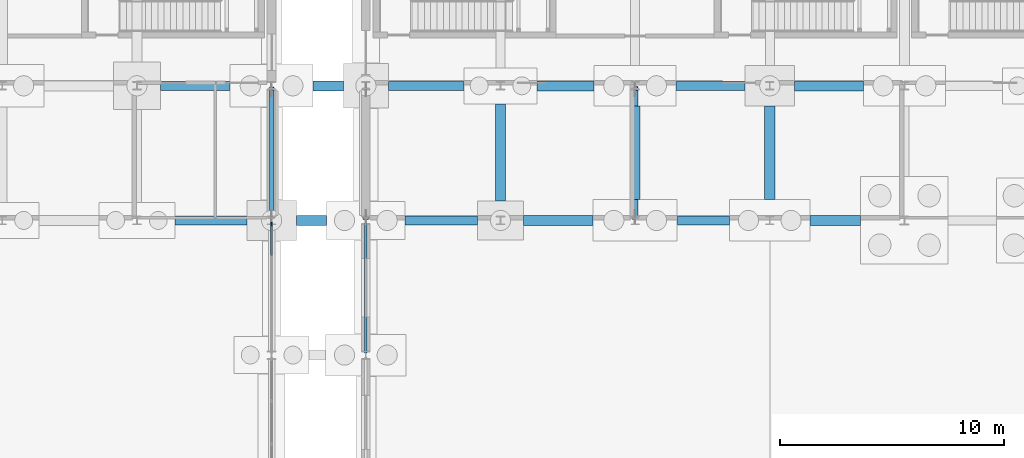
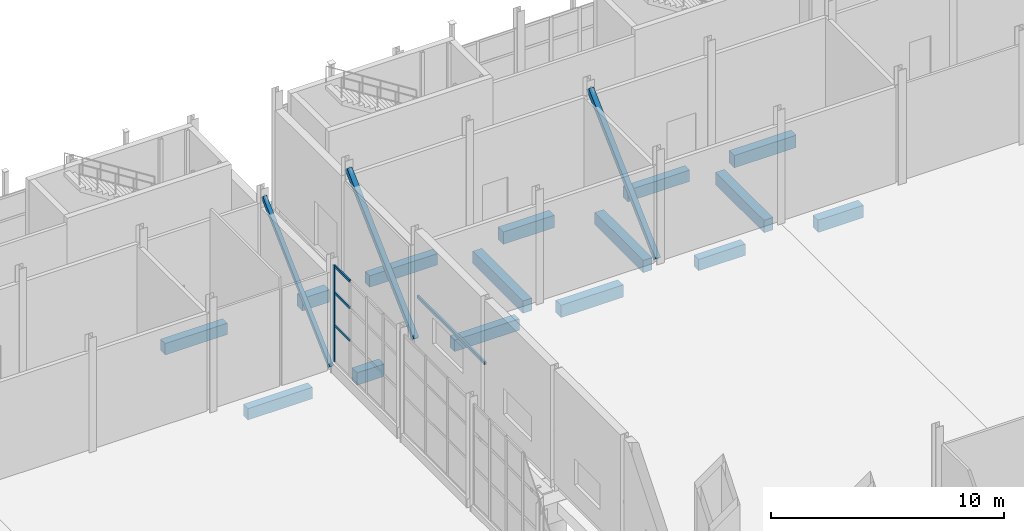
# One storey, part 37 of 120: 16 beams, 7 members, 1 element without a shape of its own.
"""IFC4 building model written with IfcOpenShell, lengths in metres."""

from ifc_helpers import new_model, si_unit, direction, frame, origin, origin_2d, place, context, subcontext, project, spatial, rectangle, hollow_rectangle, extrude, material, material_profile, profile_set, type_object, element, aggregate, save


model = new_model("IFC4")

# Units and contexts
model_context = context("Model", 3, precision=1e-05, world=origin(), true_north=direction((0.0, 1.0)))
body_context = subcontext(model_context, "Body", "Model", "MODEL_VIEW")
ifc_project = project(units=[si_unit("LENGTHUNIT", "METRE"), si_unit("AREAUNIT", "SQUARE_METRE"), si_unit("VOLUMEUNIT", "CUBIC_METRE"), si_unit("PLANEANGLEUNIT", "RADIAN"), si_unit("MASSUNIT", "GRAM", prefix="KILO")], contexts=[model_context])

# Site, building, storey
site_placement = place(None, origin())
site = spatial("IfcSite", under=ifc_project, at=site_placement, CompositionType="ELEMENT")
building_placement = place(site_placement, origin())
building = spatial("IfcBuilding", under=site, at=building_placement, Name="Siltcreek Boulevard Central Fire Station", CompositionType="ELEMENT")
storey_placement = place(building_placement, origin())
storey = spatial("IfcBuildingStorey", under=building, at=storey_placement, Name="L01", CompositionType="ELEMENT", Elevation=0.0)

# Members
ifc_material_1 = material(Name="Structural steel ASTM A500 GrC", Category="steel")
ifc_material_profile_1 = material_profile(ifc_material_1, hollow_rectangle(XDim=0.199951171875, YDim=0.199951171875, WallThickness=0.009521484375, at=origin_2d()), Name="HSS200X200X9.5")
ifc_profile_set_1 = profile_set([ifc_material_profile_1], Name="Structural steel ASTM A500 GrC")
member_type_1 = type_object("IfcMemberType", Name="BR_HSS200_9", PredefinedType="BRACE", material=ifc_profile_set_1)
member_1_placement = place(storey_placement, frame((37.800048828125, 42.1201171875, 0.10009765625), z_axis=(0.0, 0.726372446686, 0.687301293972), x_axis=(-1.0, 0.0, 0.0)))
element("IfcMember", 1, at=member_1_placement, inside=storey, type_object=member_type_1, Name="L01 SCBF concentrically braced frame BR-003", PredefinedType="BRACE", context=body_context, shape_type="SweptSolid", body=[
    extrude(hollow_rectangle(XDim=0.199951171875, YDim=0.199951171875, WallThickness=0.009521484375, at=origin_2d()), origin(), (0.0, 0.0, 1.0), 7.929443359375),
])
ifc_material_profile_2 = material_profile(ifc_material_1, hollow_rectangle(XDim=0.25, YDim=0.25, WallThickness=0.009521484375, at=origin_2d()), Name="HSS250X250X9.5")
ifc_profile_set_2 = profile_set([ifc_material_profile_2], Name="Structural steel ASTM A500 GrC")
member_type_2 = type_object("IfcMemberType", Name="BR_HSS250_9", PredefinedType="BRACE", material=ifc_profile_set_2)
for number, where, z_axis, x_axis, name in (
    (2, (42.0, 42.1201171875, 0.10009765625), (0.0, 0.726372446686, 0.687301293972), (-1.0, 0.0, 0.0), "L01 SCBF concentrically braced frame BR-005"),
    (3, (54.0, 42.1201171875, 0.10009765625), (0.0, 0.726372446686, 0.687301293972), (-1.0, 0.0, 0.0), "L01 SCBF concentrically braced frame BR-007"),
):
    element("IfcMember", number, at=place(storey_placement, frame(where, z_axis=z_axis, x_axis=x_axis)), inside=storey, type_object=member_type_2, Name=name, PredefinedType="BRACE", context=body_context, shape_type="SweptSolid", body=[
        extrude(hollow_rectangle(XDim=0.25, YDim=0.25, WallThickness=0.009521484375, at=origin_2d()), origin(), (0.0, 0.0, 1.0), 7.929443359375),
    ])

# Curtain wall, members
ifc_material_2 = material(Name="Anodized aluminum and low-E insulated glazing", Category="aluminium")
curtain_wall_type = type_object("IfcCurtainWallType", Name="CW_SYS_09", PredefinedType="USERDEFINED", material=ifc_material_2)
curtain_wall_placement = place(storey_placement, origin())
curtain_wall = element("IfcCurtainWall", 4, at=curtain_wall_placement, inside=storey, type_object=curtain_wall_type, Name="L01 V4 unitised curtain wall CW-098", ObjectType="CURTAIN WALL", PredefinedType="USERDEFINED")
ifc_material_3 = material(Name="Anodized 6063-T6 aluminum framing", Category="aluminium")
ifc_material_profile_3 = material_profile(ifc_material_3, rectangle(XDim=0.06494140625, YDim=0.175048828125, at=origin_2d()), Name="MULL65X175")
ifc_profile_set_3 = profile_set([ifc_material_profile_3], Name="Anodized 6063-T6 aluminum framing")
member_type_3 = type_object("IfcMemberType", Name="CWM_65X175", PredefinedType="MULLION", material=ifc_profile_set_3)
member_2_placement = place(storey_placement, frame((37.800048828125, 41.822509765625, 0.56005859375), z_axis=(0.0, 0.0, 1.0), x_axis=(-1.0, 0.0, 0.0)))
member_2 = element("IfcMember", 5, at=member_2_placement, type_object=member_type_3, Name="CW-098 mullion 5", PredefinedType="MULLION", context=body_context, shape_type="SweptSolid", body=[
    extrude(rectangle(XDim=0.06494140625, YDim=0.175048828125, at=origin_2d()), origin(), (0.0, 0.0, 1.0), 5.058837890625),
])
ifc_material_profile_4 = material_profile(ifc_material_3, rectangle(XDim=0.06494140625, YDim=0.135009765625, at=origin_2d()), Name="TRAN65X135")
ifc_profile_set_4 = profile_set([ifc_material_profile_4], Name="Anodized 6063-T6 aluminum framing")
member_type_4 = type_object("IfcMemberType", Name="CWT_65X135", PredefinedType="USERDEFINED", material=ifc_profile_set_4)
member_3_placement = place(storey_placement, frame((37.800048828125, 40.4599609375, 2.482421875), z_axis=(0.0, 1.0, 0.0), x_axis=(-1.0, 0.0, 0.0)))
member_3 = element("IfcMember", 6, at=member_3_placement, type_object=member_type_4, Name="CW-098 transom 4.2", ObjectType="TRANSOM", PredefinedType="USERDEFINED", context=body_context, shape_type="SweptSolid", body=[
    extrude(rectangle(XDim=0.06494140625, YDim=0.135009765625, at=origin_2d()), origin(), (0.0, 0.0, 1.0), 1.330078125),
])
member_4_placement = place(storey_placement, frame((37.800048828125, 40.4599609375, 4.202392578125), z_axis=(0.0, 1.0, 0.0), x_axis=(-1.0, 0.0, 0.0)))
member_4 = element("IfcMember", 7, at=member_4_placement, type_object=member_type_4, Name="CW-098 transom 4.3", ObjectType="TRANSOM", PredefinedType="USERDEFINED", context=body_context, shape_type="SweptSolid", body=[
    extrude(rectangle(XDim=0.06494140625, YDim=0.135009765625, at=origin_2d()), origin(), (0.0, 0.0, 1.0), 1.330078125),
])
member_5_placement = place(storey_placement, frame((37.800048828125, 40.4599609375, 5.58642578125), z_axis=(0.0, 1.0, 0.0), x_axis=(-1.0, 0.0, 0.0)))
member_5 = element("IfcMember", 8, at=member_5_placement, type_object=member_type_4, Name="CW-098 transom 4.4", ObjectType="TRANSOM", PredefinedType="USERDEFINED", context=body_context, shape_type="SweptSolid", body=[
    extrude(rectangle(XDim=0.06494140625, YDim=0.135009765625, at=origin_2d()), origin(), (0.0, 0.0, 1.0), 1.330078125),
])
aggregate(curtain_wall, [member_2, member_3, member_4, member_5])

# Beams
ifc_material_4 = material(Name="Concrete C35/45", Category="concrete")
ifc_material_profile_5 = material_profile(ifc_material_4, rectangle(XDim=0.39990234375, YDim=0.60009765625, at=origin_2d()), Name="RC400X600")
ifc_profile_set_5 = profile_set([ifc_material_profile_5], Name="Concrete C35/45")
beam_type_1 = type_object("IfcBeamType", Name="GB_RC400X600", PredefinedType="USERDEFINED", material=ifc_profile_set_5)
beam_1_placement = place(storey_placement, frame((33.501953125, 42.0, -0.7099609375), z_axis=(1.0, 0.0, 0.0), x_axis=(0.0, 1.0, 0.0)))
element("IfcBeam", 9, at=beam_1_placement, inside=storey, type_object=beam_type_1, Name="Reinforced concrete tie grade beam GB-091", ObjectType="GRADE BEAM", PredefinedType="USERDEFINED", context=body_context, shape_type="SweptSolid", body=[
    extrude(rectangle(XDim=0.39990234375, YDim=0.60009765625, at=origin_2d()), origin(), (0.0, 0.0, 1.0), 3.196044921875),
])
beam_2_placement = place(storey_placement, frame((43.751953125, 42.0, -0.7099609375), z_axis=(1.0, 0.0, 0.0), x_axis=(0.0, 1.0, 0.0)))
element("IfcBeam", 10, at=beam_2_placement, inside=storey, type_object=beam_type_1, Name="Reinforced concrete tie grade beam GB-093", ObjectType="GRADE BEAM", PredefinedType="USERDEFINED", context=body_context, shape_type="SweptSolid", body=[
    extrude(rectangle(XDim=0.39990234375, YDim=0.60009765625, at=origin_2d()), origin(), (0.0, 0.0, 1.0), 3.220947265625),
])
beam_3_placement = place(storey_placement, frame((55.876953125, 42.0, -0.7099609375), z_axis=(1.0, 0.0, 0.0), x_axis=(0.0, 1.0, 0.0)))
element("IfcBeam", 11, at=beam_3_placement, inside=storey, type_object=beam_type_1, Name="Reinforced concrete tie grade beam GB-095", ObjectType="GRADE BEAM", PredefinedType="USERDEFINED", context=body_context, shape_type="SweptSolid", body=[
    extrude(rectangle(XDim=0.39990234375, YDim=0.60009765625, at=origin_2d()), origin(), (0.0, 0.0, 1.0), 2.321044921875),
])
beam_4_placement = place(storey_placement, frame((32.85205078125, 48.0, -0.7099609375), z_axis=(1.0, 0.0, 0.0), x_axis=(0.0, 1.0, 0.0)))
element("IfcBeam", 12, at=beam_4_placement, inside=storey, type_object=beam_type_1, Name="Reinforced concrete tie grade beam GB-109", ObjectType="GRADE BEAM", PredefinedType="USERDEFINED", context=body_context, shape_type="SweptSolid", body=[
    extrude(rectangle(XDim=0.39990234375, YDim=0.60009765625, at=origin_2d()), origin(), (0.0, 0.0, 1.0), 3.095947265625),
])
beam_5_placement = place(storey_placement, frame((43.001953125, 48.0, -0.7099609375), z_axis=(1.0, 0.0, 0.0), x_axis=(0.0, 1.0, 0.0)))
element("IfcBeam", 13, at=beam_5_placement, inside=storey, type_object=beam_type_1, Name="Reinforced concrete tie grade beam GB-111", ObjectType="GRADE BEAM", PredefinedType="USERDEFINED", context=body_context, shape_type="SweptSolid", body=[
    extrude(rectangle(XDim=0.39990234375, YDim=0.60009765625, at=origin_2d()), origin(), (0.0, 0.0, 1.0), 3.37109375),
])
beam_6_placement = place(storey_placement, frame((55.826904296875, 48.0, -0.7099609375), z_axis=(1.0, 0.0, 0.0), x_axis=(0.0, 1.0, 0.0)))
element("IfcBeam", 14, at=beam_6_placement, inside=storey, type_object=beam_type_1, Name="Reinforced concrete tie grade beam GB-113", ObjectType="GRADE BEAM", PredefinedType="USERDEFINED", context=body_context, shape_type="SweptSolid", body=[
    extrude(rectangle(XDim=0.39990234375, YDim=0.60009765625, at=origin_2d()), origin(), (0.0, 0.0, 1.0), 3.071044921875),
])
ifc_material_profile_6 = material_profile(ifc_material_4, rectangle(XDim=0.449951171875, YDim=0.64990234375, at=origin_2d()), Name="RC450X650")
ifc_profile_set_6 = profile_set([ifc_material_profile_6], Name="Concrete C35/45")
beam_type_2 = type_object("IfcBeamType", Name="GB_RC450X650", PredefinedType="USERDEFINED", material=ifc_profile_set_6)
beam_7_placement = place(storey_placement, frame((38.902099609375, 42.0, -0.735107421875), z_axis=(1.0, 0.0, 0.0), x_axis=(0.0, 1.0, 0.0)))
element("IfcBeam", 15, at=beam_7_placement, inside=storey, type_object=beam_type_2, Name="Reinforced concrete tie grade beam GB-092", ObjectType="GRADE BEAM", PredefinedType="USERDEFINED", context=body_context, shape_type="SweptSolid", body=[
    extrude(rectangle(XDim=0.449951171875, YDim=0.64990234375, at=origin_2d()), origin(), (0.0, 0.0, 1.0), 1.345947265625),
])
beam_8_placement = place(storey_placement, frame((49.027099609375, 42.0, -0.735107421875), z_axis=(1.0, 0.0, 0.0), x_axis=(0.0, 1.0, 0.0)))
element("IfcBeam", 16, at=beam_8_placement, inside=storey, type_object=beam_type_2, Name="Reinforced concrete tie grade beam GB-094", ObjectType="GRADE BEAM", PredefinedType="USERDEFINED", context=body_context, shape_type="SweptSolid", body=[
    extrude(rectangle(XDim=0.449951171875, YDim=0.64990234375, at=origin_2d()), origin(), (0.0, 0.0, 1.0), 3.095947265625),
])
beam_9_placement = place(storey_placement, frame((61.802001953125, 42.0, -0.735107421875), z_axis=(1.0, 0.0, 0.0), x_axis=(0.0, 1.0, 0.0)))
element("IfcBeam", 17, at=beam_9_placement, inside=storey, type_object=beam_type_2, Name="Reinforced concrete tie grade beam GB-096", ObjectType="GRADE BEAM", PredefinedType="USERDEFINED", context=body_context, shape_type="SweptSolid", body=[
    extrude(rectangle(XDim=0.449951171875, YDim=0.64990234375, at=origin_2d()), origin(), (0.0, 0.0, 1.0), 2.24609375),
])
beam_10_placement = place(storey_placement, frame((39.652099609375, 48.0, -0.735107421875), z_axis=(1.0, 0.0, 0.0), x_axis=(0.0, 1.0, 0.0)))
element("IfcBeam", 18, at=beam_10_placement, inside=storey, type_object=beam_type_2, Name="Reinforced concrete tie grade beam GB-110", ObjectType="GRADE BEAM", PredefinedType="USERDEFINED", context=body_context, shape_type="SweptSolid", body=[
    extrude(rectangle(XDim=0.449951171875, YDim=0.64990234375, at=origin_2d()), origin(), (0.0, 0.0, 1.0), 1.345947265625),
])
beam_11_placement = place(storey_placement, frame((49.626953125, 48.0, -0.735107421875), z_axis=(1.0, 0.0, 0.0), x_axis=(0.0, 1.0, 0.0)))
element("IfcBeam", 19, at=beam_11_placement, inside=storey, type_object=beam_type_2, Name="Reinforced concrete tie grade beam GB-112", ObjectType="GRADE BEAM", PredefinedType="USERDEFINED", context=body_context, shape_type="SweptSolid", body=[
    extrude(rectangle(XDim=0.449951171875, YDim=0.64990234375, at=origin_2d()), origin(), (0.0, 0.0, 1.0), 2.546142578125),
])
beam_12_placement = place(storey_placement, frame((61.10205078125, 48.0, -0.735107421875), z_axis=(1.0, 0.0, 0.0), x_axis=(0.0, 1.0, 0.0)))
element("IfcBeam", 20, at=beam_12_placement, inside=storey, type_object=beam_type_2, Name="Reinforced concrete tie grade beam GB-114", ObjectType="GRADE BEAM", PredefinedType="USERDEFINED", context=body_context, shape_type="SweptSolid", body=[
    extrude(rectangle(XDim=0.449951171875, YDim=0.64990234375, at=origin_2d()), origin(), (0.0, 0.0, 1.0), 3.071044921875),
])
beam_13_placement = place(storey_placement, frame((48.0, 42.876953125, -0.735107421875), z_axis=(0.0, 1.0, 0.0), x_axis=(-1.0, 0.0, 0.0)))
element("IfcBeam", 21, at=beam_13_placement, inside=storey, type_object=beam_type_2, Name="Reinforced concrete tie grade beam GB-156", ObjectType="GRADE BEAM", PredefinedType="USERDEFINED", context=body_context, shape_type="SweptSolid", body=[
    extrude(rectangle(XDim=0.449951171875, YDim=0.64990234375, at=origin_2d()), origin(), (0.0, 0.0, 1.0), 4.321044921875),
])
for number, where, z_axis, x_axis, name in (
    (22, (54.0, 42.927001953125, -0.735107421875), (0.0, 1.0, 0.0), (-1.0, 0.0, 0.0), "Reinforced concrete tie grade beam GB-164"),
    (23, (60.0, 42.927001953125, -0.735107421875), (0.0, 1.0, 0.0), (-1.0, 0.0, 0.0), "Reinforced concrete tie grade beam GB-172"),
):
    element("IfcBeam", number, at=place(storey_placement, frame(where, z_axis=z_axis, x_axis=x_axis)), inside=storey, type_object=beam_type_2, Name=name, ObjectType="GRADE BEAM", PredefinedType="USERDEFINED", context=body_context, shape_type="SweptSolid", body=[
        extrude(rectangle(XDim=0.449951171875, YDim=0.64990234375, at=origin_2d()), origin(), (0.0, 0.0, 1.0), 4.1708984375),
    ])
ifc_material_profile_7 = material_profile(ifc_material_1, hollow_rectangle(XDim=0.10009765625, YDim=0.14990234375, WallThickness=0.00634765625, at=origin_2d()), Name="HSS150X100X6.4")
ifc_profile_set_7 = profile_set([ifc_material_profile_7], Name="Structural steel ASTM A500 GrC")
beam_type_3 = type_object("IfcBeamType", Name="LIN_HSS150X100", PredefinedType="LINTEL", material=ifc_profile_set_7)
beam_14_placement = place(storey_placement, frame((42.0, 41.89990234375, 2.449951171875), z_axis=(0.0, -1.0, 0.0), x_axis=(1.0, 0.0, 0.0)))
element("IfcBeam", 24, at=beam_14_placement, inside=storey, type_object=beam_type_3, Name="Exterior window steel lintel WLN-13", PredefinedType="LINTEL", context=body_context, shape_type="SweptSolid", body=[
    extrude(hollow_rectangle(XDim=0.10009765625, YDim=0.14990234375, WallThickness=0.00634765625, at=origin_2d()), origin(), (0.0, 0.0, 1.0), 5.7998046875),
])

save(model, "model.ifc")
